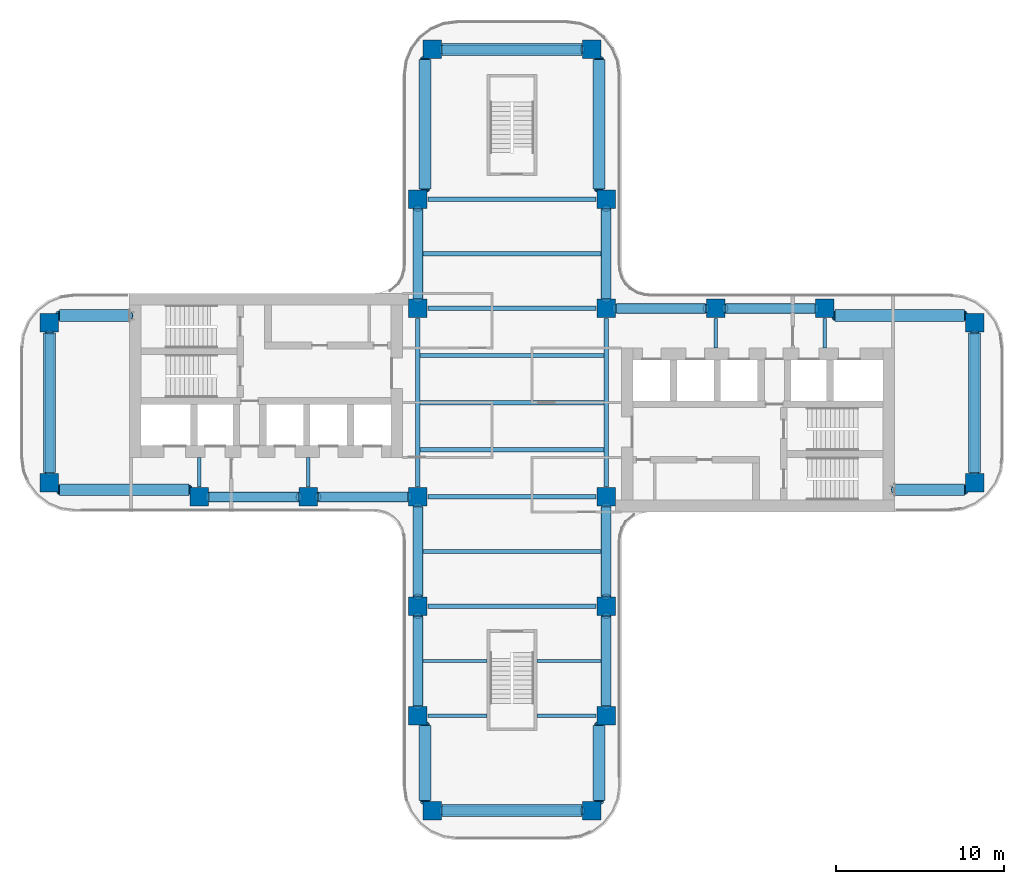
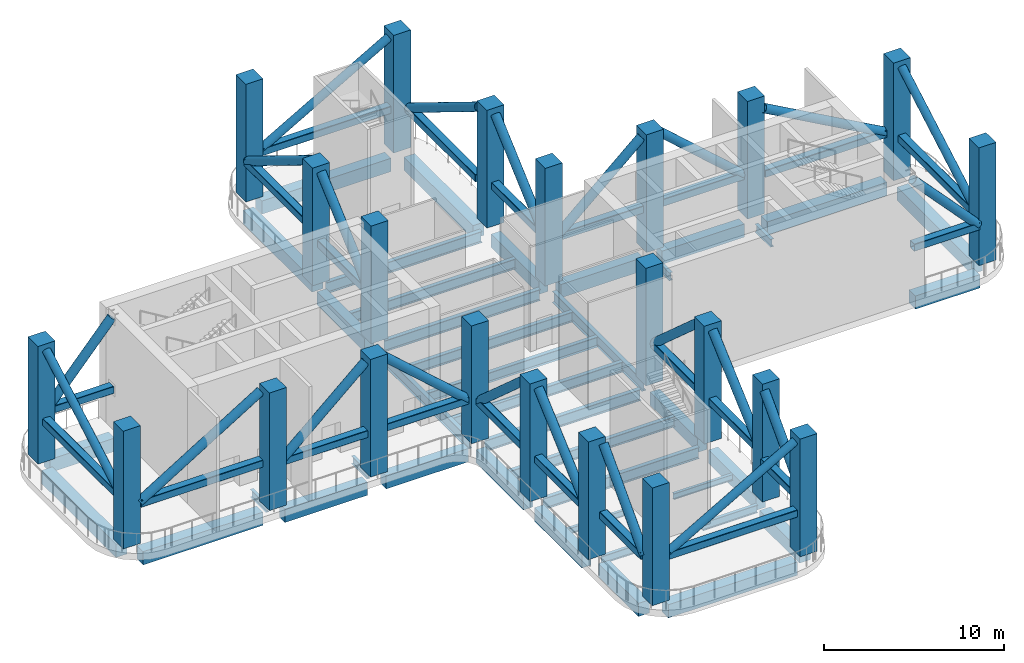
# One storey, part 1 of 11: 63 beams, 22 columns, 22 members.
"""IFC4 building model written with IfcOpenShell, lengths in metres."""

from ifc_helpers import new_model, si_unit, direction, frame, origin, origin_2d, place, context, subcontext, project, spatial, rectangle, hollow_rectangle, hollow_circle, i_section, extrude, source, transform, mapped, material, material_profile, profile_set, type_object, element, save


model = new_model("IFC4")

# Units and contexts
model_context = context("Model", 3, precision=1e-05, world=origin(), true_north=direction((0.0, 1.0)))
body_context = subcontext(model_context, "Body", "Model", "MODEL_VIEW")
ifc_project = project(units=[si_unit("LENGTHUNIT", "METRE"), si_unit("AREAUNIT", "SQUARE_METRE"), si_unit("VOLUMEUNIT", "CUBIC_METRE"), si_unit("PLANEANGLEUNIT", "RADIAN"), si_unit("MASSUNIT", "GRAM", prefix="KILO")], contexts=[model_context])

# Site, building, storey
site_placement = place(None, origin())
site = spatial("IfcSite", under=ifc_project, at=site_placement, CompositionType="ELEMENT")
building_placement = place(site_placement, origin())
building = spatial("IfcBuilding", under=site, at=building_placement, Name="Trellis Farm Tower", CompositionType="ELEMENT")
storey_placement = place(building_placement, frame((0.0, 0.0, 212.699951171875)))
storey = spatial("IfcBuildingStorey", under=building, at=storey_placement, Name="L47", CompositionType="ELEMENT", Elevation=212.699951171875)

# Columns
ifc_material_1 = material(Name="Concrete C60/75", Category="concrete")
ifc_material_profile_1 = material_profile(ifc_material_1, rectangle(XDim=1.10009765625, YDim=1.10009765625, at=origin_2d()), Name="RC column 1100x1100 C60/75")
ifc_profile_set_1 = profile_set([ifc_material_profile_1], Name="Concrete C60/75")
column_type = type_object("IfcColumnType", Name="RC column 1100x1100 C60/75", PredefinedType="COLUMN", material=ifc_profile_set_1)
shared_shape_1 = source(origin(), body_context, "Body", "SweptSolid", [
    extrude(rectangle(XDim=1.10009765625, YDim=1.10009765625, at=origin_2d()), origin(), (0.0, 0.0, 1.0), 8.0),
])
for number, where, z_axis, x_axis, name in (
    (1, (12.10009765625, 5.60009765625, 0.0), (0.0, 0.0, 1.0), (1.0, 0.0, 0.0), "Column"),
    (2, (18.60009765625, 5.60009765625, 0.0), (0.0, 0.0, 1.0), (1.0, 0.0, 0.0), "Column"),
    (3, (27.5, 4.75, 0.0), (0.0, 0.0, 1.0), (1.0, 0.0, 0.0), "Column"),
    (4, (27.5, -4.75, 0.0), (0.0, 0.0, 1.0), (1.0, 0.0, 0.0), "Column"),
    (5, (-5.60009765625, 12.10009765625, 0.0), (0.0, 0.0, 1.0), (1.0, 0.0, 0.0), "Column"),
    (6, (-4.75, 21.0, 0.0), (0.0, 0.0, 1.0), (1.0, 0.0, 0.0), "Column"),
    (7, (5.60009765625, 12.10009765625, 0.0), (0.0, 0.0, 1.0), (1.0, 0.0, 0.0), "Column"),
    (8, (4.75, 21.0, 0.0), (0.0, 0.0, 1.0), (1.0, 0.0, 0.0), "Column"),
    (9, (5.60009765625, 5.60009765625, 0.0), (0.0, 0.0, 1.0), (1.0, 0.0, 0.0), "Column"),
    (10, (-5.60009765625, 5.60009765625, 0.0), (0.0, 0.0, 1.0), (1.0, 0.0, 0.0), "Column"),
    (11, (5.60009765625, -5.60009765625, 0.0), (0.0, 0.0, 1.0), (1.0, 0.0, 0.0), "Column"),
    (12, (-5.60009765625, -5.60009765625, 0.0), (0.0, 0.0, 1.0), (1.0, 0.0, 0.0), "Column"),
    (13, (5.60009765625, -12.10009765625, 0.0), (0.0, 0.0, 1.0), (1.0, 0.0, 0.0), "Column"),
    (14, (5.60009765625, -18.60009765625, 0.0), (0.0, 0.0, 1.0), (1.0, 0.0, 0.0), "Column"),
    (15, (4.75, -24.25, 0.0), (0.0, 0.0, 1.0), (1.0, 0.0, 0.0), "Column"),
    (16, (-5.60009765625, -12.10009765625, 0.0), (0.0, 0.0, 1.0), (1.0, 0.0, 0.0), "Column"),
    (17, (-5.60009765625, -18.60009765625, 0.0), (0.0, 0.0, 1.0), (1.0, 0.0, 0.0), "Column"),
    (18, (-4.75, -24.25, 0.0), (0.0, 0.0, 1.0), (1.0, 0.0, 0.0), "Column"),
    (19, (-12.10009765625, -5.60009765625, 0.0), (0.0, 0.0, 1.0), (1.0, 0.0, 0.0), "Column"),
    (20, (-18.60009765625, -5.60009765625, 0.0), (0.0, 0.0, 1.0), (1.0, 0.0, 0.0), "Column"),
    (21, (-27.5, -4.75, 0.0), (0.0, 0.0, 1.0), (1.0, 0.0, 0.0), "Column"),
    (22, (-27.5, 4.75, 0.0), (0.0, 0.0, 1.0), (1.0, 0.0, 0.0), "Column"),
):
    element("IfcColumn", number, at=place(storey_placement, frame(where, z_axis=z_axis, x_axis=x_axis)), inside=storey, type_object=column_type, Name=name, PredefinedType="COLUMN", context=body_context, shape_type="MappedRepresentation", body=[
        mapped(shared_shape_1, transform((0.0, 0.0, 0.0))),
    ])

# Members
ifc_material_2 = material(Name="Steel S355", Category="steel")
ifc_material_profile_2 = material_profile(ifc_material_2, hollow_circle(Radius=0.279541015625, WallThickness=0.02490234375, at=origin_2d()), Name="CHS 559x25")
ifc_profile_set_2 = profile_set([ifc_material_profile_2], Name="Steel S355")
member_type_1 = type_object("IfcMemberType", Name="CHS 559x25 brace", PredefinedType="BRACE", material=ifc_profile_set_2)
member_1_placement = place(storey_placement, frame((26.949951171875, -5.175048828125, 2.75), z_axis=(-0.682314010889, 0.0, 0.73105922506), x_axis=(0.0, -1.0, 0.0)))
element("IfcMember", 23, at=member_1_placement, inside=storey, type_object=member_type_1, Name="Outrigger truss diagonal CHS 559x25", PredefinedType="BRACE", context=body_context, shape_type="SweptSolid", body=[
    extrude(hollow_circle(Radius=0.279541015625, WallThickness=0.02490234375, at=origin_2d()), origin(), (0.0, 0.0, 1.0), 6.155517578125),
])
member_2_placement = place(storey_placement, frame((-26.949951171875, 5.175048828125, 2.75), z_axis=(0.658496477989, 0.0, 0.752583808274), x_axis=(0.0, 1.0, 0.0)))
element("IfcMember", 24, at=member_2_placement, inside=storey, type_object=member_type_1, Name="Outrigger truss diagonal CHS 559x25", PredefinedType="BRACE", context=body_context, shape_type="SweptSolid", body=[
    extrude(hollow_circle(Radius=0.279541015625, WallThickness=0.02490234375, at=origin_2d()), origin(), (0.0, 0.0, 1.0), 6.378173828125),
])
member_3_placement = place(storey_placement, frame((26.949951171875, 5.175048828125, 2.75), z_axis=(-0.87336051995, 0.0, 0.487074329227), x_axis=(0.0, -1.0, 0.0)))
element("IfcMember", 25, at=member_3_placement, inside=storey, type_object=member_type_1, Name="Outrigger truss diagonal CHS 559x25", PredefinedType="BRACE", context=body_context, shape_type="SweptSolid", body=[
    extrude(hollow_circle(Radius=0.279541015625, WallThickness=0.02490234375, at=origin_2d()), origin(), (0.0, 0.0, 1.0), 8.93115234375),
])

# Beams
ifc_material_profile_3 = material_profile(ifc_material_2, i_section(OverallWidth=0.2666015625, OverallDepth=0.76220703125, WebThickness=0.014404296875, FlangeThickness=0.021484375, FilletRadius=0.0166015625, at=origin_2d()), Name="UB 762x267x173")
ifc_profile_set_3 = profile_set([ifc_material_profile_3], Name="Steel S355")
beam_type_1 = type_object("IfcBeamType", Name="UB 762x267x173", PredefinedType="BEAM", material=ifc_profile_set_3)
shared_shape_2 = source(origin(), body_context, "Body", "SweptSolid", [
    extrude(i_section(OverallWidth=0.2666015625, OverallDepth=0.76220703125, WebThickness=0.014404296875, FlangeThickness=0.021484375, FilletRadius=0.0166015625, at=origin_2d()), origin(), (0.0, 0.0, 1.0), 10.0),
])
for number, where, z_axis, x_axis, name in (
    (26, (-5.0, -12.10009765625, -0.8310546875), (1.0, 0.0, 0.0), (0.0, 1.0, 0.0), "Girder"),
    (27, (-5.0, -5.60009765625, -0.8310546875), (1.0, 0.0, 0.0), (0.0, 1.0, 0.0), "Girder"),
    (28, (-5.0, 5.60009765625, -0.8310546875), (1.0, 0.0, 0.0), (0.0, 1.0, 0.0), "Girder"),
    (29, (-5.0, 12.10009765625, -0.8310546875), (1.0, 0.0, 0.0), (0.0, 1.0, 0.0), "Girder"),
    (30, (-5.60009765625, -5.0, -0.8310546875), (0.0, 1.0, 0.0), (-1.0, 0.0, 0.0), "Girder"),
    (31, (5.60009765625, -5.0, -0.8310546875), (0.0, 1.0, 0.0), (-1.0, 0.0, 0.0), "Girder"),
):
    element("IfcBeam", number, at=place(storey_placement, frame(where, z_axis=z_axis, x_axis=x_axis)), inside=storey, type_object=beam_type_1, Name=name, PredefinedType="BEAM", context=body_context, shape_type="MappedRepresentation", body=[
        mapped(shared_shape_2, transform((0.0, 0.0, 0.0))),
    ])
ifc_material_profile_4 = material_profile(ifc_material_2, i_section(OverallWidth=0.253662109375, OverallDepth=0.68359375, WebThickness=0.012451171875, FlangeThickness=0.021728515625, FilletRadius=0.01513671875, at=origin_2d()), Name="UB 686x254x140")
ifc_profile_set_4 = profile_set([ifc_material_profile_4], Name="Steel S355")
beam_type_2 = type_object("IfcBeamType", Name="UB 686x254x140 joist", PredefinedType="JOIST", material=ifc_profile_set_4)
shared_shape_3 = source(origin(), body_context, "Body", "SweptSolid", [
    extrude(i_section(OverallWidth=0.253662109375, OverallDepth=0.68359375, WebThickness=0.012451171875, FlangeThickness=0.021728515625, FilletRadius=0.01513671875, at=origin_2d()), origin(), (0.0, 0.0, 1.0), 10.93310546875),
])
for number, where, z_axis, x_axis, name in (
    (32, (-5.466552734375, -2.800048828125, -0.791748046875), (1.0, 0.0, 0.0), (0.0, 1.0, 0.0), "Floor beam"),
    (33, (-5.466552734375, 0.0, -0.791748046875), (1.0, 0.0, 0.0), (0.0, 1.0, 0.0), "Floor beam"),
    (34, (-5.466552734375, 2.800048828125, -0.791748046875), (1.0, 0.0, 0.0), (0.0, 1.0, 0.0), "Floor beam"),
):
    element("IfcBeam", number, at=place(storey_placement, frame(where, z_axis=z_axis, x_axis=x_axis)), inside=storey, type_object=beam_type_2, Name=name, PredefinedType="JOIST", context=body_context, shape_type="MappedRepresentation", body=[
        mapped(shared_shape_3, transform((0.0, 0.0, 0.0))),
    ])
ifc_material_profile_5 = material_profile(ifc_material_2, i_section(OverallWidth=0.177978515625, OverallDepth=0.406494140625, WebThickness=0.0078125, FlangeThickness=0.0126953125, FilletRadius=0.01025390625, at=origin_2d()), Name="UB 406x178x60")
ifc_profile_set_5 = profile_set([ifc_material_profile_5], Name="Steel S355")
beam_type_3 = type_object("IfcBeamType", Name="UB 406x178x60 joist", PredefinedType="JOIST", material=ifc_profile_set_5)
shared_shape_4 = source(origin(), body_context, "Body", "SweptSolid", [
    extrude(i_section(OverallWidth=0.177978515625, OverallDepth=0.406494140625, WebThickness=0.0078125, FlangeThickness=0.0126953125, FilletRadius=0.01025390625, at=origin_2d()), origin(), (0.0, 0.0, 1.0), 3.800048828125),
])
for number, where, z_axis, x_axis, name in (
    (35, (-5.300048828125, -15.35009765625, -0.653076171875), (1.0, 0.0, 0.0), (0.0, 1.0, 0.0), "Floor beam"),
    (36, (1.5, -15.35009765625, -0.653076171875), (1.0, 0.0, 0.0), (0.0, 1.0, 0.0), "Floor beam"),
):
    element("IfcBeam", number, at=place(storey_placement, frame(where, z_axis=z_axis, x_axis=x_axis)), inside=storey, type_object=beam_type_3, Name=name, PredefinedType="JOIST", context=body_context, shape_type="MappedRepresentation", body=[
        mapped(shared_shape_4, transform((0.0, 0.0, 0.0))),
    ])
shared_shape_5 = source(origin(), body_context, "Body", "SweptSolid", [
    extrude(i_section(OverallWidth=0.253662109375, OverallDepth=0.68359375, WebThickness=0.012451171875, FlangeThickness=0.021728515625, FilletRadius=0.01513671875, at=origin_2d()), origin(), (0.0, 0.0, 1.0), 10.60009765625),
])
for number, where, z_axis, x_axis, name in (
    (37, (-5.300048828125, -8.85009765625, -0.791748046875), (1.0, 0.0, 0.0), (0.0, 1.0, 0.0), "Floor beam"),
    (38, (-5.300048828125, 8.85009765625, -0.791748046875), (1.0, 0.0, 0.0), (0.0, 1.0, 0.0), "Floor beam"),
):
    element("IfcBeam", number, at=place(storey_placement, frame(where, z_axis=z_axis, x_axis=x_axis)), inside=storey, type_object=beam_type_2, Name=name, PredefinedType="JOIST", context=body_context, shape_type="MappedRepresentation", body=[
        mapped(shared_shape_5, transform((0.0, 0.0, 0.0))),
    ])
ifc_material_profile_6 = material_profile(ifc_material_1, rectangle(XDim=0.60009765625, YDim=0.89990234375, at=origin_2d()), Name="RC spandrel beam 600x900 C60/75")
ifc_profile_set_6 = profile_set([ifc_material_profile_6], Name="Concrete C60/75")
beam_type_4 = type_object("IfcBeamType", Name="RC spandrel beam 600x900 C60/75", PredefinedType="SPANDREL", material=ifc_profile_set_6)
shared_shape_6 = source(origin(), body_context, "Body", "SweptSolid", [
    extrude(rectangle(XDim=0.60009765625, YDim=0.89990234375, at=origin_2d()), origin(), (0.0, 0.0, 1.0), 5.300048828125),
])
for number, where, z_axis, x_axis, name in (
    (39, (-18.0, -5.60009765625, -0.89990234375), (1.0, 0.0, 0.0), (0.0, 1.0, 0.0), "Girder"),
    (40, (-11.5, -5.60009765625, -0.89990234375), (1.0, 0.0, 0.0), (0.0, 1.0, 0.0), "Girder"),
    (41, (6.199951171875, 5.60009765625, -0.89990234375), (1.0, 0.0, 0.0), (0.0, 1.0, 0.0), "Girder"),
    (42, (12.699951171875, 5.60009765625, -0.89990234375), (1.0, 0.0, 0.0), (0.0, 1.0, 0.0), "Girder"),
    (43, (-5.60009765625, -18.0, -0.89990234375), (0.0, 1.0, 0.0), (-1.0, 0.0, 0.0), "Girder"),
    (44, (-5.60009765625, -11.5, -0.89990234375), (0.0, 1.0, 0.0), (-1.0, 0.0, 0.0), "Girder"),
    (45, (-5.60009765625, 6.199951171875, -0.89990234375), (0.0, 1.0, 0.0), (-1.0, 0.0, 0.0), "Girder"),
    (46, (5.60009765625, -18.0, -0.89990234375), (0.0, 1.0, 0.0), (-1.0, 0.0, 0.0), "Girder"),
    (47, (5.60009765625, -11.5, -0.89990234375), (0.0, 1.0, 0.0), (-1.0, 0.0, 0.0), "Girder"),
    (48, (5.60009765625, 6.199951171875, -0.89990234375), (0.0, 1.0, 0.0), (-1.0, 0.0, 0.0), "Girder"),
):
    element("IfcBeam", number, at=place(storey_placement, frame(where, z_axis=z_axis, x_axis=x_axis)), inside=storey, type_object=beam_type_4, Name=name, PredefinedType="SPANDREL", context=body_context, shape_type="MappedRepresentation", body=[
        mapped(shared_shape_6, transform((0.0, 0.0, 0.0))),
    ])
ifc_material_profile_7 = material_profile(ifc_material_1, rectangle(XDim=0.699951171875, YDim=0.89990234375, at=origin_2d()), Name="RC spandrel beam 700x900 C60/75")
ifc_profile_set_7 = profile_set([ifc_material_profile_7], Name="Concrete C60/75")
beam_type_5 = type_object("IfcBeamType", Name="RC spandrel beam 700x900 C60/75", PredefinedType="SPANDREL", material=ifc_profile_set_7)
shared_shape_7 = source(origin(), body_context, "Body", "SweptSolid", [
    extrude(rectangle(XDim=0.699951171875, YDim=0.89990234375, at=origin_2d()), origin(), (0.0, 0.0, 1.0), 8.2998046875),
])
for number, where, z_axis, x_axis, name in (
    (49, (-4.14990234375, -24.25, -0.89990234375), (1.0, 0.0, 0.0), (0.0, 1.0, 0.0), "Girder"),
    (50, (-4.14990234375, 21.0, -0.89990234375), (1.0, 0.0, 0.0), (0.0, 1.0, 0.0), "Girder"),
    (51, (-27.5, -4.14990234375, -0.89990234375), (0.0, 1.0, 0.0), (-1.0, 0.0, 0.0), "Girder"),
    (52, (27.5, -4.14990234375, -0.89990234375), (0.0, 1.0, 0.0), (-1.0, 0.0, 0.0), "Girder"),
):
    element("IfcBeam", number, at=place(storey_placement, frame(where, z_axis=z_axis, x_axis=x_axis)), inside=storey, type_object=beam_type_5, Name=name, PredefinedType="SPANDREL", context=body_context, shape_type="MappedRepresentation", body=[
        mapped(shared_shape_7, transform((0.0, 0.0, 0.0))),
    ])
shared_shape_8 = source(origin(), body_context, "Body", "SweptSolid", [
    extrude(rectangle(XDim=0.699951171875, YDim=0.89990234375, at=origin_2d()), origin(), (0.0, 0.0, 1.0), 4.449951171875),
])
for number, where, z_axis, x_axis, name in (
    (53, (-5.175048828125, -23.64990234375, -0.89990234375), (0.0, 1.0, 0.0), (-1.0, 0.0, 0.0), "Girder"),
    (54, (5.175048828125, -23.64990234375, -0.89990234375), (0.0, 1.0, 0.0), (-1.0, 0.0, 0.0), "Girder"),
):
    element("IfcBeam", number, at=place(storey_placement, frame(where, z_axis=z_axis, x_axis=x_axis)), inside=storey, type_object=beam_type_5, Name=name, PredefinedType="SPANDREL", context=body_context, shape_type="MappedRepresentation", body=[
        mapped(shared_shape_8, transform((0.0, 0.0, 0.0))),
    ])
shared_shape_9 = source(origin(), body_context, "Body", "SweptSolid", [
    extrude(rectangle(XDim=0.699951171875, YDim=0.89990234375, at=origin_2d()), origin(), (0.0, 0.0, 1.0), 7.699951171875),
])
for number, where, z_axis, x_axis, name in (
    (55, (-26.89990234375, -5.175048828125, -0.89990234375), (1.0, 0.0, 0.0), (0.0, 1.0, 0.0), "Girder"),
    (56, (19.199951171875, 5.175048828125, -0.89990234375), (1.0, 0.0, 0.0), (0.0, 1.0, 0.0), "Girder"),
    (57, (-5.175048828125, 12.699951171875, -0.89990234375), (0.0, 1.0, 0.0), (-1.0, 0.0, 0.0), "Girder"),
    (58, (5.175048828125, 12.699951171875, -0.89990234375), (0.0, 1.0, 0.0), (-1.0, 0.0, 0.0), "Girder"),
):
    element("IfcBeam", number, at=place(storey_placement, frame(where, z_axis=z_axis, x_axis=x_axis)), inside=storey, type_object=beam_type_5, Name=name, PredefinedType="SPANDREL", context=body_context, shape_type="MappedRepresentation", body=[
        mapped(shared_shape_9, transform((0.0, 0.0, 0.0))),
    ])
shared_shape_10 = source(origin(), body_context, "Body", "SweptSolid", [
    extrude(rectangle(XDim=0.699951171875, YDim=0.89990234375, at=origin_2d()), origin(), (0.0, 0.0, 1.0), 4.14990234375),
])
for number, where, z_axis, x_axis, name in (
    (59, (22.75, -5.175048828125, -0.89990234375), (1.0, 0.0, 0.0), (0.0, 1.0, 0.0), "Girder"),
    (60, (-26.89990234375, 5.175048828125, -0.89990234375), (1.0, 0.0, 0.0), (0.0, 1.0, 0.0), "Girder"),
):
    element("IfcBeam", number, at=place(storey_placement, frame(where, z_axis=z_axis, x_axis=x_axis)), inside=storey, type_object=beam_type_5, Name=name, PredefinedType="SPANDREL", context=body_context, shape_type="MappedRepresentation", body=[
        mapped(shared_shape_10, transform((0.0, 0.0, 0.0))),
    ])
ifc_material_profile_8 = material_profile(ifc_material_2, i_section(OverallWidth=0.209228515625, OverallDepth=0.533203125, WebThickness=0.010009765625, FlangeThickness=0.015625, FilletRadius=0.0126953125, at=origin_2d()), Name="UB 533x210x92")
ifc_profile_set_8 = profile_set([ifc_material_profile_8], Name="Steel S355")
beam_type_6 = type_object("IfcBeamType", Name="UB 533x210x92", PredefinedType="BEAM", material=ifc_profile_set_8)
shared_shape_11 = source(origin(), body_context, "Body", "SweptSolid", [
    extrude(i_section(OverallWidth=0.209228515625, OverallDepth=0.533203125, WebThickness=0.010009765625, FlangeThickness=0.015625, FilletRadius=0.0126953125, at=origin_2d()), origin(), (0.0, 0.0, 1.0), 3.5),
])
for number, where, z_axis, x_axis, name in (
    (61, (-5.0, -18.60009765625, -0.716552734375), (1.0, 0.0, 0.0), (0.0, 1.0, 0.0), "Girder"),
    (62, (1.5, -18.60009765625, -0.716552734375), (1.0, 0.0, 0.0), (0.0, 1.0, 0.0), "Girder"),
):
    element("IfcBeam", number, at=place(storey_placement, frame(where, z_axis=z_axis, x_axis=x_axis)), inside=storey, type_object=beam_type_6, Name=name, PredefinedType="BEAM", context=body_context, shape_type="MappedRepresentation", body=[
        mapped(shared_shape_11, transform((0.0, 0.0, 0.0))),
    ])
shared_shape_12 = source(origin(), body_context, "Body", "SweptSolid", [
    extrude(i_section(OverallWidth=0.209228515625, OverallDepth=0.533203125, WebThickness=0.010009765625, FlangeThickness=0.015625, FilletRadius=0.0126953125, at=origin_2d()), origin(), (0.0, 0.0, 1.0), 1.75),
])
for number, where, z_axis, x_axis, name in (
    (63, (-18.60009765625, -5.0, -0.716552734375), (0.0, 1.0, 0.0), (-1.0, 0.0, 0.0), "Girder"),
    (64, (-12.10009765625, -5.0, -0.716552734375), (0.0, 1.0, 0.0), (-1.0, 0.0, 0.0), "Girder"),
    (65, (12.10009765625, 3.25, -0.716552734375), (0.0, 1.0, 0.0), (-1.0, 0.0, 0.0), "Girder"),
    (66, (18.60009765625, 3.25, -0.716552734375), (0.0, 1.0, 0.0), (-1.0, 0.0, 0.0), "Girder"),
):
    element("IfcBeam", number, at=place(storey_placement, frame(where, z_axis=z_axis, x_axis=x_axis)), inside=storey, type_object=beam_type_6, Name=name, PredefinedType="BEAM", context=body_context, shape_type="MappedRepresentation", body=[
        mapped(shared_shape_12, transform((0.0, 0.0, 0.0))),
    ])
ifc_material_profile_9 = material_profile(ifc_material_2, hollow_rectangle(XDim=0.5, YDim=0.5, WallThickness=0.030029296875, InnerFilletRadius=0.030029296875, OuterFilletRadius=0.044921875, at=origin_2d()), Name="SHS 500x500x30")
ifc_profile_set_9 = profile_set([ifc_material_profile_9], Name="Steel S355")
beam_type_7 = type_object("IfcBeamType", Name="SHS 500x500x30", PredefinedType="BEAM", material=ifc_profile_set_9)
shared_shape_13 = source(origin(), body_context, "Body", "SweptSolid", [
    extrude(hollow_rectangle(XDim=0.5, YDim=0.5, WallThickness=0.030029296875, InnerFilletRadius=0.030029296875, OuterFilletRadius=0.044921875, at=origin_2d()), origin(), (0.0, 0.0, 1.0), 5.400146484375),
])
for number, where, z_axis, x_axis, name in (
    (67, (-18.050048828125, -5.60009765625, 2.75), (1.0, 0.0, 0.0), (0.0, 1.0, 0.0), "Outrigger truss chord SHS 500x500x30"),
    (68, (-11.550048828125, -5.60009765625, 2.75), (1.0, 0.0, 0.0), (0.0, 1.0, 0.0), "Outrigger truss chord SHS 500x500x30"),
    (69, (6.14990234375, 5.60009765625, 2.75), (1.0, 0.0, 0.0), (0.0, 1.0, 0.0), "Outrigger truss chord SHS 500x500x30"),
    (70, (12.64990234375, 5.60009765625, 2.75), (1.0, 0.0, 0.0), (0.0, 1.0, 0.0), "Outrigger truss chord SHS 500x500x30"),
    (71, (-5.60009765625, -18.050048828125, 2.75), (0.0, 1.0, 0.0), (-1.0, 0.0, 0.0), "Outrigger truss chord SHS 500x500x30"),
    (72, (-5.60009765625, -11.550048828125, 2.75), (0.0, 1.0, 0.0), (-1.0, 0.0, 0.0), "Outrigger truss chord SHS 500x500x30"),
    (73, (-5.60009765625, 6.14990234375, 2.75), (0.0, 1.0, 0.0), (-1.0, 0.0, 0.0), "Outrigger truss chord SHS 500x500x30"),
    (74, (5.60009765625, -18.050048828125, 2.75), (0.0, 1.0, 0.0), (-1.0, 0.0, 0.0), "Outrigger truss chord SHS 500x500x30"),
    (75, (5.60009765625, -11.550048828125, 2.75), (0.0, 1.0, 0.0), (-1.0, 0.0, 0.0), "Outrigger truss chord SHS 500x500x30"),
    (76, (5.60009765625, 6.14990234375, 2.75), (0.0, 1.0, 0.0), (-1.0, 0.0, 0.0), "Outrigger truss chord SHS 500x500x30"),
):
    element("IfcBeam", number, at=place(storey_placement, frame(where, z_axis=z_axis, x_axis=x_axis)), inside=storey, type_object=beam_type_7, Name=name, PredefinedType="BEAM", context=body_context, shape_type="MappedRepresentation", body=[
        mapped(shared_shape_13, transform((0.0, 0.0, 0.0))),
    ])
shared_shape_14 = source(origin(), body_context, "Body", "SweptSolid", [
    extrude(hollow_rectangle(XDim=0.5, YDim=0.5, WallThickness=0.030029296875, InnerFilletRadius=0.030029296875, OuterFilletRadius=0.044921875, at=origin_2d()), origin(), (0.0, 0.0, 1.0), 8.39990234375),
])
for number, where, z_axis, x_axis, name in (
    (77, (-4.199951171875, -24.25, 2.75), (1.0, 0.0, 0.0), (0.0, 1.0, 0.0), "Belt truss chord SHS 500x500x30"),
    (78, (-4.199951171875, 21.0, 2.75), (1.0, 0.0, 0.0), (0.0, 1.0, 0.0), "Belt truss chord SHS 500x500x30"),
    (79, (-27.5, -4.199951171875, 2.75), (0.0, 1.0, 0.0), (-1.0, 0.0, 0.0), "Belt truss chord SHS 500x500x30"),
    (80, (27.5, -4.199951171875, 2.75), (0.0, 1.0, 0.0), (-1.0, 0.0, 0.0), "Belt truss chord SHS 500x500x30"),
):
    element("IfcBeam", number, at=place(storey_placement, frame(where, z_axis=z_axis, x_axis=x_axis)), inside=storey, type_object=beam_type_7, Name=name, PredefinedType="BEAM", context=body_context, shape_type="MappedRepresentation", body=[
        mapped(shared_shape_14, transform((0.0, 0.0, 0.0))),
    ])
shared_shape_15 = source(origin(), body_context, "Body", "SweptSolid", [
    extrude(hollow_rectangle(XDim=0.5, YDim=0.5, WallThickness=0.030029296875, InnerFilletRadius=0.030029296875, OuterFilletRadius=0.044921875, at=origin_2d()), origin(), (0.0, 0.0, 1.0), 7.800048828125),
])
for number, where, z_axis, x_axis, name in (
    (81, (-26.949951171875, -5.175048828125, 2.75), (1.0, 0.0, 0.0), (0.0, 1.0, 0.0), "Outrigger truss chord SHS 500x500x30"),
    (82, (19.14990234375, 5.175048828125, 2.75), (1.0, 0.0, 0.0), (0.0, 1.0, 0.0), "Outrigger truss chord SHS 500x500x30"),
    (83, (-5.175048828125, 12.64990234375, 2.75), (0.0, 1.0, 0.0), (-1.0, 0.0, 0.0), "Outrigger truss chord SHS 500x500x30"),
    (84, (5.175048828125, 12.64990234375, 2.75), (0.0, 1.0, 0.0), (-1.0, 0.0, 0.0), "Outrigger truss chord SHS 500x500x30"),
):
    element("IfcBeam", number, at=place(storey_placement, frame(where, z_axis=z_axis, x_axis=x_axis)), inside=storey, type_object=beam_type_7, Name=name, PredefinedType="BEAM", context=body_context, shape_type="MappedRepresentation", body=[
        mapped(shared_shape_15, transform((0.0, 0.0, 0.0))),
    ])
shared_shape_16 = source(origin(), body_context, "Body", "SweptSolid", [
    extrude(hollow_rectangle(XDim=0.5, YDim=0.5, WallThickness=0.030029296875, InnerFilletRadius=0.030029296875, OuterFilletRadius=0.044921875, at=origin_2d()), origin(), (0.0, 0.0, 1.0), 4.550048828125),
])
for number, where, z_axis, x_axis, name in (
    (85, (-5.175048828125, -23.699951171875, 2.75), (0.0, 1.0, 0.0), (-1.0, 0.0, 0.0), "Outrigger truss chord SHS 500x500x30"),
    (86, (5.175048828125, -23.699951171875, 2.75), (0.0, 1.0, 0.0), (-1.0, 0.0, 0.0), "Outrigger truss chord SHS 500x500x30"),
):
    element("IfcBeam", number, at=place(storey_placement, frame(where, z_axis=z_axis, x_axis=x_axis)), inside=storey, type_object=beam_type_7, Name=name, PredefinedType="BEAM", context=body_context, shape_type="MappedRepresentation", body=[
        mapped(shared_shape_16, transform((0.0, 0.0, 0.0))),
    ])

# Members
shared_shape_17 = source(origin(), body_context, "Body", "SweptSolid", [
    extrude(hollow_circle(Radius=0.279541015625, WallThickness=0.02490234375, at=origin_2d()), origin(), (0.0, 0.0, 1.0), 7.22509765625),
])
for number, where, z_axis, x_axis, name in (
    (87, (-18.050048828125, -5.60009765625, 2.75), (0.747414911589, 0.0, 0.664357546758), (0.0, 1.0, 0.0), "Outrigger truss diagonal CHS 559x25"),
    (88, (-6.14990234375, -5.60009765625, 2.75), (-0.747414911589, 0.0, 0.664357546758), (0.0, -1.0, 0.0), "Outrigger truss diagonal CHS 559x25"),
    (89, (6.14990234375, 5.60009765625, 2.75), (0.747414911589, 0.0, 0.664357546758), (0.0, 1.0, 0.0), "Outrigger truss diagonal CHS 559x25"),
    (90, (18.050048828125, 5.60009765625, 2.75), (-0.747414911589, 0.0, 0.664357546758), (0.0, -1.0, 0.0), "Outrigger truss diagonal CHS 559x25"),
    (91, (-5.60009765625, -18.050048828125, 2.75), (0.0, 0.747414911589, 0.664357546758), (-1.0, 0.0, 0.0), "Outrigger truss diagonal CHS 559x25"),
    (92, (-5.60009765625, -6.14990234375, 2.75), (0.0, -0.747414911589, 0.664357546758), (1.0, 0.0, 0.0), "Outrigger truss diagonal CHS 559x25"),
    (93, (-5.60009765625, 6.14990234375, 2.75), (0.0, 0.747414911589, 0.664357546758), (-1.0, 0.0, 0.0), "Outrigger truss diagonal CHS 559x25"),
    (94, (5.60009765625, -18.050048828125, 2.75), (0.0, 0.747414911589, 0.664357546758), (-1.0, 0.0, 0.0), "Outrigger truss diagonal CHS 559x25"),
    (95, (5.60009765625, -6.14990234375, 2.75), (0.0, -0.747414911589, 0.664357546758), (1.0, 0.0, 0.0), "Outrigger truss diagonal CHS 559x25"),
    (96, (5.60009765625, 6.14990234375, 2.75), (0.0, 0.747414911589, 0.664357546758), (-1.0, 0.0, 0.0), "Outrigger truss diagonal CHS 559x25"),
):
    element("IfcMember", number, at=place(storey_placement, frame(where, z_axis=z_axis, x_axis=x_axis)), inside=storey, type_object=member_type_1, Name=name, PredefinedType="BRACE", context=body_context, shape_type="MappedRepresentation", body=[
        mapped(shared_shape_17, transform((0.0, 0.0, 0.0))),
    ])

# Beams
shared_shape_18 = source(origin(), body_context, "Body", "SweptSolid", [
    extrude(hollow_rectangle(XDim=0.5, YDim=0.5, WallThickness=0.030029296875, InnerFilletRadius=0.030029296875, OuterFilletRadius=0.044921875, at=origin_2d()), origin(), (0.0, 0.0, 1.0), 4.199951171875),
])
for number, where, z_axis, x_axis, name in (
    (97, (22.75, -5.175048828125, 2.75), (1.0, 0.0, 0.0), (0.0, 1.0, 0.0), "Outrigger truss chord SHS 500x500x30"),
    (98, (-26.949951171875, 5.175048828125, 2.75), (1.0, 0.0, 0.0), (0.0, 1.0, 0.0), "Outrigger truss chord SHS 500x500x30"),
):
    element("IfcBeam", number, at=place(storey_placement, frame(where, z_axis=z_axis, x_axis=x_axis)), inside=storey, type_object=beam_type_7, Name=name, PredefinedType="BEAM", context=body_context, shape_type="MappedRepresentation", body=[
        mapped(shared_shape_18, transform((0.0, 0.0, 0.0))),
    ])

# Members
ifc_material_profile_10 = material_profile(ifc_material_2, hollow_circle(Radius=0.25390625, WallThickness=0.02490234375, at=origin_2d()), Name="CHS 508x25")
ifc_profile_set_10 = profile_set([ifc_material_profile_10], Name="Steel S355")
member_type_2 = type_object("IfcMemberType", Name="CHS 508x25 brace", PredefinedType="BRACE", material=ifc_profile_set_10)
shared_shape_19 = source(origin(), body_context, "Body", "SweptSolid", [
    extrude(hollow_circle(Radius=0.25390625, WallThickness=0.02490234375, at=origin_2d()), origin(), (0.0, 0.0, 1.0), 9.674560546875),
])
for number, where, z_axis, x_axis, name in (
    (99, (-4.199951171875, -24.25, 2.75), (0.8682384833, 0.0, 0.49614709121), (0.0, 1.0, 0.0), "Belt truss diagonal CHS 508x25"),
    (100, (-4.199951171875, 21.0, 2.75), (0.8682384833, 0.0, 0.49614709121), (0.0, 1.0, 0.0), "Belt truss diagonal CHS 508x25"),
    (101, (-27.5, -4.199951171875, 2.75), (0.0, 0.8682384833, 0.49614709121), (-1.0, 0.0, 0.0), "Belt truss diagonal CHS 508x25"),
    (102, (27.5, -4.199951171875, 2.75), (0.0, 0.8682384833, 0.49614709121), (-1.0, 0.0, 0.0), "Belt truss diagonal CHS 508x25"),
):
    element("IfcMember", number, at=place(storey_placement, frame(where, z_axis=z_axis, x_axis=x_axis)), inside=storey, type_object=member_type_2, Name=name, PredefinedType="BRACE", context=body_context, shape_type="MappedRepresentation", body=[
        mapped(shared_shape_19, transform((0.0, 0.0, 0.0))),
    ])
shared_shape_20 = source(origin(), body_context, "Body", "SweptSolid", [
    extrude(hollow_circle(Radius=0.279541015625, WallThickness=0.02490234375, at=origin_2d()), origin(), (0.0, 0.0, 1.0), 9.15869140625),
])
for number, where, z_axis, x_axis, name in (
    (103, (-26.949951171875, -5.175048828125, 2.75), (0.851657401449, 0.0, 0.524098912952), (0.0, 1.0, 0.0), "Outrigger truss diagonal CHS 559x25"),
    (104, (-5.175048828125, 20.449951171875, 2.75), (0.0, -0.851657401449, 0.524098912952), (1.0, 0.0, 0.0), "Outrigger truss diagonal CHS 559x25"),
    (105, (5.175048828125, 20.449951171875, 2.75), (0.0, -0.851657401449, 0.524098912952), (1.0, 0.0, 0.0), "Outrigger truss diagonal CHS 559x25"),
):
    element("IfcMember", number, at=place(storey_placement, frame(where, z_axis=z_axis, x_axis=x_axis)), inside=storey, type_object=member_type_1, Name=name, PredefinedType="BRACE", context=body_context, shape_type="MappedRepresentation", body=[
        mapped(shared_shape_20, transform((0.0, 0.0, 0.0))),
    ])
shared_shape_21 = source(origin(), body_context, "Body", "SweptSolid", [
    extrude(hollow_circle(Radius=0.279541015625, WallThickness=0.02490234375, at=origin_2d()), origin(), (0.0, 0.0, 1.0), 6.61376953125),
])
for number, where, z_axis, x_axis, name in (
    (106, (-5.175048828125, -23.699951171875, 2.75), (0.0, 0.687954513447, 0.725753806347), (-1.0, 0.0, 0.0), "Outrigger truss diagonal CHS 559x25"),
    (107, (5.175048828125, -23.699951171875, 2.75), (0.0, 0.687954513447, 0.725753806347), (-1.0, 0.0, 0.0), "Outrigger truss diagonal CHS 559x25"),
):
    element("IfcMember", number, at=place(storey_placement, frame(where, z_axis=z_axis, x_axis=x_axis)), inside=storey, type_object=member_type_1, Name=name, PredefinedType="BRACE", context=body_context, shape_type="MappedRepresentation", body=[
        mapped(shared_shape_21, transform((0.0, 0.0, 0.0))),
    ])

save(model, "model.ifc")
